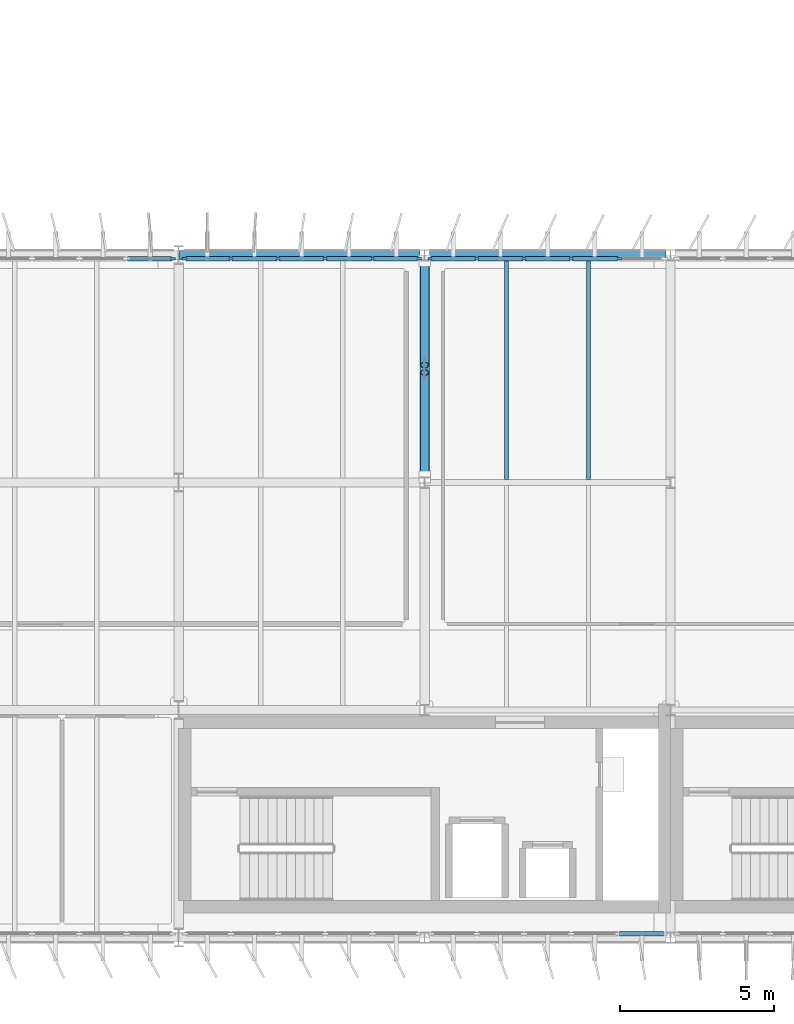
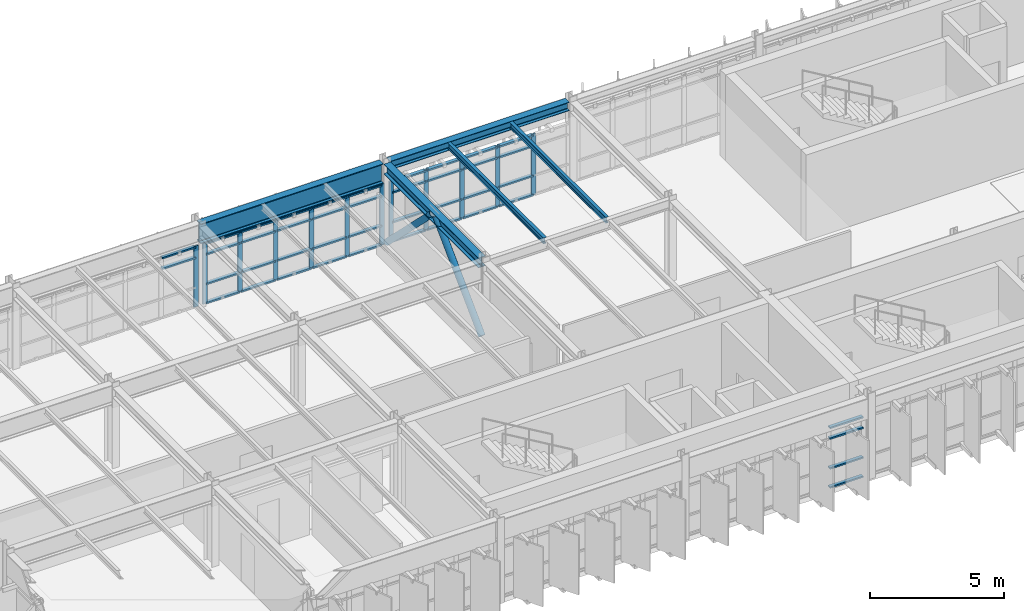
# One storey, part 10 of 45: 56 members, 5 beams, 4 elements without a shape of their own.
"""IFC4 building model written with IfcOpenShell, lengths in metres."""

from ifc_helpers import new_model, si_unit, direction, frame, origin, origin_2d, place, context, subcontext, project, spatial, rectangle, hollow_circle, i_section, extrude, material, layer, layer_set, material_profile, profile_set, type_object, element, aggregate, save


model = new_model("IFC4")

# Units and contexts
model_context = context("Model", 3, precision=1e-05, world=origin(), true_north=direction((0.0, 1.0)))
body_context = subcontext(model_context, "Body", "Model", "MODEL_VIEW")
ifc_project = project(units=[si_unit("LENGTHUNIT", "METRE"), si_unit("AREAUNIT", "SQUARE_METRE"), si_unit("VOLUMEUNIT", "CUBIC_METRE"), si_unit("PLANEANGLEUNIT", "RADIAN"), si_unit("MASSUNIT", "GRAM", prefix="KILO")], contexts=[model_context])

# Site, building, storey
site_placement = place(None, origin())
site = spatial("IfcSite", under=ifc_project, at=site_placement, CompositionType="ELEMENT")
building_placement = place(site_placement, origin())
building = spatial("IfcBuilding", under=site, at=building_placement, Name="Valkorina Park Police Headquarters", CompositionType="ELEMENT")
storey_placement = place(building_placement, frame((0.0, 0.0, 23.300048828125)))
storey = spatial("IfcBuildingStorey", under=building, at=storey_placement, Name="L06", CompositionType="ELEMENT", Elevation=23.300048828125)

# Beams
ifc_material_1 = material(Name="Steel S355", Category="steel")
ifc_material_profile_1 = material_profile(ifc_material_1, i_section(OverallWidth=0.300048828125, OverallDepth=0.389892578125, WebThickness=0.010986328125, FlangeThickness=0.01904296875, FilletRadius=0.027099609375, at=origin_2d()), Name="HEA 400")
ifc_profile_set_1 = profile_set([ifc_material_profile_1], Name="Steel S355")
beam_type_1 = type_object("IfcBeamType", Name="BM-S355-HEA400-SPN", PredefinedType="SPANDREL", material=ifc_profile_set_1)
beam_1_placement = place(storey_placement, frame((24.949951171875, 59.199951171875, 3.48486328125), z_axis=(1.0, 0.0, 0.0), x_axis=(0.0, 1.0, 0.0)))
element("IfcBeam", 1, at=beam_1_placement, inside=storey, type_object=beam_type_1, Name="L06 Framing Beam 2632", PredefinedType="SPANDREL", context=body_context, shape_type="SweptSolid", body=[
    extrude(i_section(OverallWidth=0.300048828125, OverallDepth=0.389892578125, WebThickness=0.010986328125, FlangeThickness=0.01904296875, FilletRadius=0.027099609375, at=origin_2d()), origin(), (0.0, 0.0, 1.0), 7.699951171875),
])
ifc_material_profile_2 = material_profile(ifc_material_1, i_section(OverallWidth=0.300048828125, OverallDepth=0.449951171875, WebThickness=0.013916015625, FlangeThickness=0.02587890625, FilletRadius=0.027099609375, at=origin_2d()), Name="HEB 450")
ifc_profile_set_2 = profile_set([ifc_material_profile_2], Name="Steel S355")
beam_type_2 = type_object("IfcBeamType", Name="BM-S355-HEB450-BM", PredefinedType="BEAM", material=ifc_profile_set_2)
beam_2_placement = place(storey_placement, frame((24.800048828125, 51.97998046875, 3.454833984375), z_axis=(0.0, 1.0, 0.0), x_axis=(-1.0, 0.0, 0.0)))
element("IfcBeam", 2, at=beam_2_placement, inside=storey, type_object=beam_type_2, Name="L06 Framing Beam 2683", PredefinedType="BEAM", context=body_context, shape_type="SweptSolid", body=[
    extrude(i_section(OverallWidth=0.300048828125, OverallDepth=0.449951171875, WebThickness=0.013916015625, FlangeThickness=0.02587890625, FilletRadius=0.027099609375, at=origin_2d()), origin(), (0.0, 0.0, 1.0), 7.0400390625),
])
ifc_material_profile_3 = material_profile(ifc_material_1, i_section(OverallWidth=0.300048828125, OverallDepth=0.89990234375, WebThickness=0.0185546875, FlangeThickness=0.034912109375, FilletRadius=0.030029296875, at=origin_2d()), Name="HEB 900")
ifc_profile_set_3 = profile_set([ifc_material_profile_3], Name="Steel S355")
beam_type_3 = type_object("IfcBeamType", Name="BM-S355-HEB900-EXT", PredefinedType="SPANDREL", material=ifc_profile_set_3)
beam_3_placement = place(storey_placement, frame((16.8076171875, 59.199951171875, 3.22998046875), z_axis=(1.0, 0.0, 0.0), x_axis=(0.0, 1.0, 0.0)))
element("IfcBeam", 3, at=beam_3_placement, inside=storey, type_object=beam_type_3, Name="L06 Framing Beam 2631", PredefinedType="SPANDREL", context=body_context, shape_type="SweptSolid", body=[
    extrude(i_section(OverallWidth=0.300048828125, OverallDepth=0.89990234375, WebThickness=0.0185546875, FlangeThickness=0.034912109375, FilletRadius=0.030029296875, at=origin_2d()), origin(), (0.0, 0.0, 1.0), 7.84228515625),
])
ifc_material_profile_4 = material_profile(ifc_material_1, i_section(OverallWidth=0.135009765625, OverallDepth=0.27001953125, WebThickness=0.006591796875, FlangeThickness=0.01025390625, FilletRadius=0.014892578125, at=origin_2d()), Name="IPE 270")
ifc_profile_set_4 = profile_set([ifc_material_profile_4], Name="Steel S355")
beam_type_4 = type_object("IfcBeamType", Name="BM-S355-IPE270-JST", PredefinedType="JOIST", material=ifc_profile_set_4)
for number, where, z_axis, x_axis, name in (
    (4, (27.466796875, 51.89501953125, 3.544921875), (0.0, 1.0, 0.0), (-1.0, 0.0, 0.0), "L06 Framing Beam 2684"),
    (5, (30.13330078125, 51.89501953125, 3.544921875), (0.0, 1.0, 0.0), (-1.0, 0.0, 0.0), "L06 Framing Beam 2685"),
):
    element("IfcBeam", number, at=place(storey_placement, frame(where, z_axis=z_axis, x_axis=x_axis)), inside=storey, type_object=beam_type_4, Name=name, PredefinedType="JOIST", context=body_context, shape_type="SweptSolid", body=[
        extrude(i_section(OverallWidth=0.135009765625, OverallDepth=0.27001953125, WebThickness=0.006591796875, FlangeThickness=0.01025390625, FilletRadius=0.014892578125, at=origin_2d()), origin(), (0.0, 0.0, 1.0), 7.155029296875),
    ])

# Curtain wall, member
ifc_material_2 = material(Name="Thermally broken aluminium AW-6060", Category="aluminium")
ifc_layer = layer(ifc_material_2, 0.18994140625)
ifc_layer_set = layer_set([ifc_layer], Name="Thermally broken aluminium AW-6060")
curtain_wall_type = type_object("IfcCurtainWallType", Name="CW-V5-7680x2770", PredefinedType="NOTDEFINED", material=ifc_layer_set)
curtain_wall_1_placement = place(storey_placement, origin())
curtain_wall_1 = element("IfcCurtainWall", 6, at=curtain_wall_1_placement, inside=storey, type_object=curtain_wall_type, Name="L06 Unitised Curtain Wall 101", PredefinedType="NOTDEFINED")
ifc_material_profile_5 = material_profile(ifc_material_2, rectangle(XDim=0.070068359375, YDim=0.18994140625, at=origin_2d()), Name="CWM-02 70x190")
ifc_profile_set_5 = profile_set([ifc_material_profile_5], Name="Thermally broken aluminium AW-6060")
member_type_1 = type_object("IfcMemberType", Name="CWM-70x190", PredefinedType="MULLION", material=ifc_profile_set_5)
member_1_placement = place(storey_placement, frame((16.60498046875, 59.080078125, 0.0), z_axis=(0.0, 0.0, 1.0), x_axis=(0.0, 1.0, 0.0)))
member_1 = element("IfcMember", 7, at=member_1_placement, type_object=member_type_1, Name="CW-V5-768-277 mullion 6", PredefinedType="MULLION", context=body_context, shape_type="SweptSolid", body=[
    extrude(rectangle(XDim=0.070068359375, YDim=0.18994140625, at=origin_2d()), origin(), (0.0, 0.0, 1.0), 2.77001953125),
])

# Curtain wall, members
curtain_wall_2_placement = place(storey_placement, origin())
curtain_wall_2 = element("IfcCurtainWall", 8, at=curtain_wall_2_placement, inside=storey, type_object=curtain_wall_type, Name="L06 Unitised Curtain Wall 102", PredefinedType="NOTDEFINED")
member_2_placement = place(storey_placement, frame((16.9951171875, 59.080078125, 0.0), z_axis=(0.0, 0.0, 1.0), x_axis=(0.0, 1.0, 0.0)))
member_2 = element("IfcMember", 9, at=member_2_placement, type_object=member_type_1, Name="CW-V5-768-277 mullion 1", PredefinedType="MULLION", context=body_context, shape_type="SweptSolid", body=[
    extrude(rectangle(XDim=0.070068359375, YDim=0.18994140625, at=origin_2d()), origin(), (0.0, 0.0, 1.0), 2.77001953125),
])
member_3_placement = place(storey_placement, frame((18.49609375, 59.080078125, 0.0), z_axis=(0.0, 0.0, 1.0), x_axis=(0.0, 1.0, 0.0)))
member_3 = element("IfcMember", 10, at=member_3_placement, type_object=member_type_1, Name="CW-V5-768-277 mullion 2", PredefinedType="MULLION", context=body_context, shape_type="SweptSolid", body=[
    extrude(rectangle(XDim=0.070068359375, YDim=0.18994140625, at=origin_2d()), origin(), (0.0, 0.0, 1.0), 2.77001953125),
])
member_4_placement = place(storey_placement, frame((20.031982421875, 59.080078125, 0.0), z_axis=(0.0, 0.0, 1.0), x_axis=(0.0, 1.0, 0.0)))
member_4 = element("IfcMember", 11, at=member_4_placement, type_object=member_type_1, Name="CW-V5-768-277 mullion 3", PredefinedType="MULLION", context=body_context, shape_type="SweptSolid", body=[
    extrude(rectangle(XDim=0.070068359375, YDim=0.18994140625, at=origin_2d()), origin(), (0.0, 0.0, 1.0), 2.77001953125),
])
member_5_placement = place(storey_placement, frame((21.568115234375, 59.080078125, 0.0), z_axis=(0.0, 0.0, 1.0), x_axis=(0.0, 1.0, 0.0)))
member_5 = element("IfcMember", 12, at=member_5_placement, type_object=member_type_1, Name="CW-V5-768-277 mullion 4", PredefinedType="MULLION", context=body_context, shape_type="SweptSolid", body=[
    extrude(rectangle(XDim=0.070068359375, YDim=0.18994140625, at=origin_2d()), origin(), (0.0, 0.0, 1.0), 2.77001953125),
])
member_6_placement = place(storey_placement, frame((23.10400390625, 59.080078125, 0.0), z_axis=(0.0, 0.0, 1.0), x_axis=(0.0, 1.0, 0.0)))
member_6 = element("IfcMember", 13, at=member_6_placement, type_object=member_type_1, Name="CW-V5-768-277 mullion 5", PredefinedType="MULLION", context=body_context, shape_type="SweptSolid", body=[
    extrude(rectangle(XDim=0.070068359375, YDim=0.18994140625, at=origin_2d()), origin(), (0.0, 0.0, 1.0), 2.77001953125),
])
member_7_placement = place(storey_placement, frame((24.60498046875, 59.080078125, 0.0), z_axis=(0.0, 0.0, 1.0), x_axis=(0.0, 1.0, 0.0)))
member_7 = element("IfcMember", 14, at=member_7_placement, type_object=member_type_1, Name="CW-V5-768-277 mullion 6", PredefinedType="MULLION", context=body_context, shape_type="SweptSolid", body=[
    extrude(rectangle(XDim=0.070068359375, YDim=0.18994140625, at=origin_2d()), origin(), (0.0, 0.0, 1.0), 2.77001953125),
])

curtain_wall_3_placement = place(storey_placement, origin())
curtain_wall_3 = element("IfcCurtainWall", 15, at=curtain_wall_3_placement, inside=storey, type_object=curtain_wall_type, Name="L06 Unitised Curtain Wall 103", PredefinedType="NOTDEFINED")
member_8_placement = place(storey_placement, frame((24.9951171875, 59.080078125, 0.0), z_axis=(0.0, 0.0, 1.0), x_axis=(0.0, 1.0, 0.0)))
member_8 = element("IfcMember", 16, at=member_8_placement, type_object=member_type_1, Name="CW-V5-768-277 mullion 1", PredefinedType="MULLION", context=body_context, shape_type="SweptSolid", body=[
    extrude(rectangle(XDim=0.070068359375, YDim=0.18994140625, at=origin_2d()), origin(), (0.0, 0.0, 1.0), 2.77001953125),
])
member_9_placement = place(storey_placement, frame((26.49609375, 59.080078125, 0.0), z_axis=(0.0, 0.0, 1.0), x_axis=(0.0, 1.0, 0.0)))
member_9 = element("IfcMember", 17, at=member_9_placement, type_object=member_type_1, Name="CW-V5-768-277 mullion 2", PredefinedType="MULLION", context=body_context, shape_type="SweptSolid", body=[
    extrude(rectangle(XDim=0.070068359375, YDim=0.18994140625, at=origin_2d()), origin(), (0.0, 0.0, 1.0), 2.77001953125),
])
member_10_placement = place(storey_placement, frame((28.031982421875, 59.080078125, 0.0), z_axis=(0.0, 0.0, 1.0), x_axis=(0.0, 1.0, 0.0)))
member_10 = element("IfcMember", 18, at=member_10_placement, type_object=member_type_1, Name="CW-V5-768-277 mullion 3", PredefinedType="MULLION", context=body_context, shape_type="SweptSolid", body=[
    extrude(rectangle(XDim=0.070068359375, YDim=0.18994140625, at=origin_2d()), origin(), (0.0, 0.0, 1.0), 2.77001953125),
])
member_11_placement = place(storey_placement, frame((29.568115234375, 59.080078125, 0.0), z_axis=(0.0, 0.0, 1.0), x_axis=(0.0, 1.0, 0.0)))
member_11 = element("IfcMember", 19, at=member_11_placement, type_object=member_type_1, Name="CW-V5-768-277 mullion 4", PredefinedType="MULLION", context=body_context, shape_type="SweptSolid", body=[
    extrude(rectangle(XDim=0.070068359375, YDim=0.18994140625, at=origin_2d()), origin(), (0.0, 0.0, 1.0), 2.77001953125),
])
member_12_placement = place(storey_placement, frame((31.10400390625, 59.080078125, 0.0), z_axis=(0.0, 0.0, 1.0), x_axis=(0.0, 1.0, 0.0)))
member_12 = element("IfcMember", 20, at=member_12_placement, type_object=member_type_1, Name="CW-V5-768-277 mullion 5", PredefinedType="MULLION", context=body_context, shape_type="SweptSolid", body=[
    extrude(rectangle(XDim=0.070068359375, YDim=0.18994140625, at=origin_2d()), origin(), (0.0, 0.0, 1.0), 2.77001953125),
])

# Member
ifc_material_profile_6 = material_profile(ifc_material_2, rectangle(XDim=0.14990234375, YDim=0.070068359375, at=origin_2d()), Name="CWT-02 150x70")
ifc_profile_set_6 = profile_set([ifc_material_profile_6], Name="Thermally broken aluminium AW-6060")
member_type_2 = type_object("IfcMemberType", Name="CWT-150x70", PredefinedType="USERDEFINED", material=ifc_profile_set_6)
member_13_placement = place(storey_placement, frame((15.138916015625, 59.080078125, 2.25), z_axis=(1.0, 0.0, 0.0), x_axis=(0.0, 1.0, 0.0)))
member_13 = element("IfcMember", 21, at=member_13_placement, type_object=member_type_2, Name="CW-V5-768-277 transom 5.3", ObjectType="TRANSOM", PredefinedType="USERDEFINED", context=body_context, shape_type="SweptSolid", body=[
    extrude(rectangle(XDim=0.14990234375, YDim=0.070068359375, at=origin_2d()), origin(), (0.0, 0.0, 1.0), 1.43115234375),
])

member_14_placement = place(storey_placement, frame((15.138916015625, 59.080078125, 2.73486328125), z_axis=(1.0, 0.0, 0.0), x_axis=(0.0, 1.0, 0.0)))
member_14 = element("IfcMember", 22, at=member_14_placement, type_object=member_type_2, Name="CW-V5-768-277 transom 5.4", ObjectType="TRANSOM", PredefinedType="USERDEFINED", context=body_context, shape_type="SweptSolid", body=[
    extrude(rectangle(XDim=0.14990234375, YDim=0.070068359375, at=origin_2d()), origin(), (0.0, 0.0, 1.0), 1.43115234375),
])

aggregate(curtain_wall_1, [member_1, member_13, member_14])

member_15_placement = place(storey_placement, frame((17.030029296875, 59.080078125, 0.034912109375), z_axis=(1.0, 0.0, 0.0), x_axis=(0.0, 1.0, 0.0)))
member_15 = element("IfcMember", 23, at=member_15_placement, type_object=member_type_2, Name="CW-V5-768-277 transom 1.1", ObjectType="TRANSOM", PredefinedType="USERDEFINED", context=body_context, shape_type="SweptSolid", body=[
    extrude(rectangle(XDim=0.14990234375, YDim=0.070068359375, at=origin_2d()), origin(), (0.0, 0.0, 1.0), 1.430908203125),
])

member_16_placement = place(storey_placement, frame((17.030029296875, 59.080078125, 0.89990234375), z_axis=(1.0, 0.0, 0.0), x_axis=(0.0, 1.0, 0.0)))
member_16 = element("IfcMember", 24, at=member_16_placement, type_object=member_type_2, Name="CW-V5-768-277 transom 1.2", ObjectType="TRANSOM", PredefinedType="USERDEFINED", context=body_context, shape_type="SweptSolid", body=[
    extrude(rectangle(XDim=0.14990234375, YDim=0.070068359375, at=origin_2d()), origin(), (0.0, 0.0, 1.0), 1.430908203125),
])

member_17_placement = place(storey_placement, frame((17.030029296875, 59.080078125, 2.25), z_axis=(1.0, 0.0, 0.0), x_axis=(0.0, 1.0, 0.0)))
member_17 = element("IfcMember", 25, at=member_17_placement, type_object=member_type_2, Name="CW-V5-768-277 transom 1.3", ObjectType="TRANSOM", PredefinedType="USERDEFINED", context=body_context, shape_type="SweptSolid", body=[
    extrude(rectangle(XDim=0.14990234375, YDim=0.070068359375, at=origin_2d()), origin(), (0.0, 0.0, 1.0), 1.430908203125),
])

member_18_placement = place(storey_placement, frame((17.030029296875, 59.080078125, 2.73486328125), z_axis=(1.0, 0.0, 0.0), x_axis=(0.0, 1.0, 0.0)))
member_18 = element("IfcMember", 26, at=member_18_placement, type_object=member_type_2, Name="CW-V5-768-277 transom 1.4", ObjectType="TRANSOM", PredefinedType="USERDEFINED", context=body_context, shape_type="SweptSolid", body=[
    extrude(rectangle(XDim=0.14990234375, YDim=0.070068359375, at=origin_2d()), origin(), (0.0, 0.0, 1.0), 1.430908203125),
])

member_19_placement = place(storey_placement, frame((18.531005859375, 59.080078125, 0.034912109375), z_axis=(1.0, 0.0, 0.0), x_axis=(0.0, 1.0, 0.0)))
member_19 = element("IfcMember", 27, at=member_19_placement, type_object=member_type_2, Name="CW-V5-768-277 transom 2.1", ObjectType="TRANSOM", PredefinedType="USERDEFINED", context=body_context, shape_type="SweptSolid", body=[
    extrude(rectangle(XDim=0.14990234375, YDim=0.070068359375, at=origin_2d()), origin(), (0.0, 0.0, 1.0), 1.466064453125),
])

member_20_placement = place(storey_placement, frame((18.531005859375, 59.080078125, 0.89990234375), z_axis=(1.0, 0.0, 0.0), x_axis=(0.0, 1.0, 0.0)))
member_20 = element("IfcMember", 28, at=member_20_placement, type_object=member_type_2, Name="CW-V5-768-277 transom 2.2", ObjectType="TRANSOM", PredefinedType="USERDEFINED", context=body_context, shape_type="SweptSolid", body=[
    extrude(rectangle(XDim=0.14990234375, YDim=0.070068359375, at=origin_2d()), origin(), (0.0, 0.0, 1.0), 1.466064453125),
])

member_21_placement = place(storey_placement, frame((18.531005859375, 59.080078125, 2.25), z_axis=(1.0, 0.0, 0.0), x_axis=(0.0, 1.0, 0.0)))
member_21 = element("IfcMember", 29, at=member_21_placement, type_object=member_type_2, Name="CW-V5-768-277 transom 2.3", ObjectType="TRANSOM", PredefinedType="USERDEFINED", context=body_context, shape_type="SweptSolid", body=[
    extrude(rectangle(XDim=0.14990234375, YDim=0.070068359375, at=origin_2d()), origin(), (0.0, 0.0, 1.0), 1.466064453125),
])

member_22_placement = place(storey_placement, frame((18.531005859375, 59.080078125, 2.73486328125), z_axis=(1.0, 0.0, 0.0), x_axis=(0.0, 1.0, 0.0)))
member_22 = element("IfcMember", 30, at=member_22_placement, type_object=member_type_2, Name="CW-V5-768-277 transom 2.4", ObjectType="TRANSOM", PredefinedType="USERDEFINED", context=body_context, shape_type="SweptSolid", body=[
    extrude(rectangle(XDim=0.14990234375, YDim=0.070068359375, at=origin_2d()), origin(), (0.0, 0.0, 1.0), 1.466064453125),
])

member_23_placement = place(storey_placement, frame((20.06689453125, 59.080078125, 0.034912109375), z_axis=(1.0, 0.0, 0.0), x_axis=(0.0, 1.0, 0.0)))
member_23 = element("IfcMember", 31, at=member_23_placement, type_object=member_type_2, Name="CW-V5-768-277 transom 3.1", ObjectType="TRANSOM", PredefinedType="USERDEFINED", context=body_context, shape_type="SweptSolid", body=[
    extrude(rectangle(XDim=0.14990234375, YDim=0.070068359375, at=origin_2d()), origin(), (0.0, 0.0, 1.0), 1.466064453125),
])

member_24_placement = place(storey_placement, frame((20.06689453125, 59.080078125, 0.89990234375), z_axis=(1.0, 0.0, 0.0), x_axis=(0.0, 1.0, 0.0)))
member_24 = element("IfcMember", 32, at=member_24_placement, type_object=member_type_2, Name="CW-V5-768-277 transom 3.2", ObjectType="TRANSOM", PredefinedType="USERDEFINED", context=body_context, shape_type="SweptSolid", body=[
    extrude(rectangle(XDim=0.14990234375, YDim=0.070068359375, at=origin_2d()), origin(), (0.0, 0.0, 1.0), 1.466064453125),
])

member_25_placement = place(storey_placement, frame((20.06689453125, 59.080078125, 2.25), z_axis=(1.0, 0.0, 0.0), x_axis=(0.0, 1.0, 0.0)))
member_25 = element("IfcMember", 33, at=member_25_placement, type_object=member_type_2, Name="CW-V5-768-277 transom 3.3", ObjectType="TRANSOM", PredefinedType="USERDEFINED", context=body_context, shape_type="SweptSolid", body=[
    extrude(rectangle(XDim=0.14990234375, YDim=0.070068359375, at=origin_2d()), origin(), (0.0, 0.0, 1.0), 1.466064453125),
])

member_26_placement = place(storey_placement, frame((20.06689453125, 59.080078125, 2.73486328125), z_axis=(1.0, 0.0, 0.0), x_axis=(0.0, 1.0, 0.0)))
member_26 = element("IfcMember", 34, at=member_26_placement, type_object=member_type_2, Name="CW-V5-768-277 transom 3.4", ObjectType="TRANSOM", PredefinedType="USERDEFINED", context=body_context, shape_type="SweptSolid", body=[
    extrude(rectangle(XDim=0.14990234375, YDim=0.070068359375, at=origin_2d()), origin(), (0.0, 0.0, 1.0), 1.466064453125),
])

member_27_placement = place(storey_placement, frame((21.60302734375, 59.080078125, 0.034912109375), z_axis=(1.0, 0.0, 0.0), x_axis=(0.0, 1.0, 0.0)))
member_27 = element("IfcMember", 35, at=member_27_placement, type_object=member_type_2, Name="CW-V5-768-277 transom 4.1", ObjectType="TRANSOM", PredefinedType="USERDEFINED", context=body_context, shape_type="SweptSolid", body=[
    extrude(rectangle(XDim=0.14990234375, YDim=0.070068359375, at=origin_2d()), origin(), (0.0, 0.0, 1.0), 1.466064453125),
])

member_28_placement = place(storey_placement, frame((21.60302734375, 59.080078125, 0.89990234375), z_axis=(1.0, 0.0, 0.0), x_axis=(0.0, 1.0, 0.0)))
member_28 = element("IfcMember", 36, at=member_28_placement, type_object=member_type_2, Name="CW-V5-768-277 transom 4.2", ObjectType="TRANSOM", PredefinedType="USERDEFINED", context=body_context, shape_type="SweptSolid", body=[
    extrude(rectangle(XDim=0.14990234375, YDim=0.070068359375, at=origin_2d()), origin(), (0.0, 0.0, 1.0), 1.466064453125),
])

member_29_placement = place(storey_placement, frame((21.60302734375, 59.080078125, 2.25), z_axis=(1.0, 0.0, 0.0), x_axis=(0.0, 1.0, 0.0)))
member_29 = element("IfcMember", 37, at=member_29_placement, type_object=member_type_2, Name="CW-V5-768-277 transom 4.3", ObjectType="TRANSOM", PredefinedType="USERDEFINED", context=body_context, shape_type="SweptSolid", body=[
    extrude(rectangle(XDim=0.14990234375, YDim=0.070068359375, at=origin_2d()), origin(), (0.0, 0.0, 1.0), 1.466064453125),
])

member_30_placement = place(storey_placement, frame((21.60302734375, 59.080078125, 2.73486328125), z_axis=(1.0, 0.0, 0.0), x_axis=(0.0, 1.0, 0.0)))
member_30 = element("IfcMember", 38, at=member_30_placement, type_object=member_type_2, Name="CW-V5-768-277 transom 4.4", ObjectType="TRANSOM", PredefinedType="USERDEFINED", context=body_context, shape_type="SweptSolid", body=[
    extrude(rectangle(XDim=0.14990234375, YDim=0.070068359375, at=origin_2d()), origin(), (0.0, 0.0, 1.0), 1.466064453125),
])

member_31_placement = place(storey_placement, frame((23.138916015625, 59.080078125, 0.034912109375), z_axis=(1.0, 0.0, 0.0), x_axis=(0.0, 1.0, 0.0)))
member_31 = element("IfcMember", 39, at=member_31_placement, type_object=member_type_2, Name="CW-V5-768-277 transom 5.1", ObjectType="TRANSOM", PredefinedType="USERDEFINED", context=body_context, shape_type="SweptSolid", body=[
    extrude(rectangle(XDim=0.14990234375, YDim=0.070068359375, at=origin_2d()), origin(), (0.0, 0.0, 1.0), 1.43115234375),
])

member_32_placement = place(storey_placement, frame((23.138916015625, 59.080078125, 0.89990234375), z_axis=(1.0, 0.0, 0.0), x_axis=(0.0, 1.0, 0.0)))
member_32 = element("IfcMember", 40, at=member_32_placement, type_object=member_type_2, Name="CW-V5-768-277 transom 5.2", ObjectType="TRANSOM", PredefinedType="USERDEFINED", context=body_context, shape_type="SweptSolid", body=[
    extrude(rectangle(XDim=0.14990234375, YDim=0.070068359375, at=origin_2d()), origin(), (0.0, 0.0, 1.0), 1.43115234375),
])

member_33_placement = place(storey_placement, frame((23.138916015625, 59.080078125, 2.25), z_axis=(1.0, 0.0, 0.0), x_axis=(0.0, 1.0, 0.0)))
member_33 = element("IfcMember", 41, at=member_33_placement, type_object=member_type_2, Name="CW-V5-768-277 transom 5.3", ObjectType="TRANSOM", PredefinedType="USERDEFINED", context=body_context, shape_type="SweptSolid", body=[
    extrude(rectangle(XDim=0.14990234375, YDim=0.070068359375, at=origin_2d()), origin(), (0.0, 0.0, 1.0), 1.43115234375),
])

member_34_placement = place(storey_placement, frame((23.138916015625, 59.080078125, 2.73486328125), z_axis=(1.0, 0.0, 0.0), x_axis=(0.0, 1.0, 0.0)))
member_34 = element("IfcMember", 42, at=member_34_placement, type_object=member_type_2, Name="CW-V5-768-277 transom 5.4", ObjectType="TRANSOM", PredefinedType="USERDEFINED", context=body_context, shape_type="SweptSolid", body=[
    extrude(rectangle(XDim=0.14990234375, YDim=0.070068359375, at=origin_2d()), origin(), (0.0, 0.0, 1.0), 1.43115234375),
])

aggregate(curtain_wall_2, [member_2, member_3, member_4, member_5, member_6, member_7, member_15, member_16, member_17, member_18, member_19, member_20, member_21, member_22, member_23, member_24, member_25, member_26, member_27, member_28, member_29, member_30, member_31, member_32, member_33, member_34])

member_35_placement = place(storey_placement, frame((25.030029296875, 59.080078125, 0.034912109375), z_axis=(1.0, 0.0, 0.0), x_axis=(0.0, 1.0, 0.0)))
member_35 = element("IfcMember", 43, at=member_35_placement, type_object=member_type_2, Name="CW-V5-768-277 transom 1.1", ObjectType="TRANSOM", PredefinedType="USERDEFINED", context=body_context, shape_type="SweptSolid", body=[
    extrude(rectangle(XDim=0.14990234375, YDim=0.070068359375, at=origin_2d()), origin(), (0.0, 0.0, 1.0), 1.430908203125),
])

member_36_placement = place(storey_placement, frame((25.030029296875, 59.080078125, 0.89990234375), z_axis=(1.0, 0.0, 0.0), x_axis=(0.0, 1.0, 0.0)))
member_36 = element("IfcMember", 44, at=member_36_placement, type_object=member_type_2, Name="CW-V5-768-277 transom 1.2", ObjectType="TRANSOM", PredefinedType="USERDEFINED", context=body_context, shape_type="SweptSolid", body=[
    extrude(rectangle(XDim=0.14990234375, YDim=0.070068359375, at=origin_2d()), origin(), (0.0, 0.0, 1.0), 1.430908203125),
])

member_37_placement = place(storey_placement, frame((25.030029296875, 59.080078125, 2.25), z_axis=(1.0, 0.0, 0.0), x_axis=(0.0, 1.0, 0.0)))
member_37 = element("IfcMember", 45, at=member_37_placement, type_object=member_type_2, Name="CW-V5-768-277 transom 1.3", ObjectType="TRANSOM", PredefinedType="USERDEFINED", context=body_context, shape_type="SweptSolid", body=[
    extrude(rectangle(XDim=0.14990234375, YDim=0.070068359375, at=origin_2d()), origin(), (0.0, 0.0, 1.0), 1.430908203125),
])

member_38_placement = place(storey_placement, frame((25.030029296875, 59.080078125, 2.73486328125), z_axis=(1.0, 0.0, 0.0), x_axis=(0.0, 1.0, 0.0)))
member_38 = element("IfcMember", 46, at=member_38_placement, type_object=member_type_2, Name="CW-V5-768-277 transom 1.4", ObjectType="TRANSOM", PredefinedType="USERDEFINED", context=body_context, shape_type="SweptSolid", body=[
    extrude(rectangle(XDim=0.14990234375, YDim=0.070068359375, at=origin_2d()), origin(), (0.0, 0.0, 1.0), 1.430908203125),
])

member_39_placement = place(storey_placement, frame((26.531005859375, 59.080078125, 0.034912109375), z_axis=(1.0, 0.0, 0.0), x_axis=(0.0, 1.0, 0.0)))
member_39 = element("IfcMember", 47, at=member_39_placement, type_object=member_type_2, Name="CW-V5-768-277 transom 2.1", ObjectType="TRANSOM", PredefinedType="USERDEFINED", context=body_context, shape_type="SweptSolid", body=[
    extrude(rectangle(XDim=0.14990234375, YDim=0.070068359375, at=origin_2d()), origin(), (0.0, 0.0, 1.0), 1.466064453125),
])

member_40_placement = place(storey_placement, frame((26.531005859375, 59.080078125, 0.89990234375), z_axis=(1.0, 0.0, 0.0), x_axis=(0.0, 1.0, 0.0)))
member_40 = element("IfcMember", 48, at=member_40_placement, type_object=member_type_2, Name="CW-V5-768-277 transom 2.2", ObjectType="TRANSOM", PredefinedType="USERDEFINED", context=body_context, shape_type="SweptSolid", body=[
    extrude(rectangle(XDim=0.14990234375, YDim=0.070068359375, at=origin_2d()), origin(), (0.0, 0.0, 1.0), 1.466064453125),
])

member_41_placement = place(storey_placement, frame((26.531005859375, 59.080078125, 2.25), z_axis=(1.0, 0.0, 0.0), x_axis=(0.0, 1.0, 0.0)))
member_41 = element("IfcMember", 49, at=member_41_placement, type_object=member_type_2, Name="CW-V5-768-277 transom 2.3", ObjectType="TRANSOM", PredefinedType="USERDEFINED", context=body_context, shape_type="SweptSolid", body=[
    extrude(rectangle(XDim=0.14990234375, YDim=0.070068359375, at=origin_2d()), origin(), (0.0, 0.0, 1.0), 1.466064453125),
])

member_42_placement = place(storey_placement, frame((26.531005859375, 59.080078125, 2.73486328125), z_axis=(1.0, 0.0, 0.0), x_axis=(0.0, 1.0, 0.0)))
member_42 = element("IfcMember", 50, at=member_42_placement, type_object=member_type_2, Name="CW-V5-768-277 transom 2.4", ObjectType="TRANSOM", PredefinedType="USERDEFINED", context=body_context, shape_type="SweptSolid", body=[
    extrude(rectangle(XDim=0.14990234375, YDim=0.070068359375, at=origin_2d()), origin(), (0.0, 0.0, 1.0), 1.466064453125),
])

member_43_placement = place(storey_placement, frame((28.06689453125, 59.080078125, 0.034912109375), z_axis=(1.0, 0.0, 0.0), x_axis=(0.0, 1.0, 0.0)))
member_43 = element("IfcMember", 51, at=member_43_placement, type_object=member_type_2, Name="CW-V5-768-277 transom 3.1", ObjectType="TRANSOM", PredefinedType="USERDEFINED", context=body_context, shape_type="SweptSolid", body=[
    extrude(rectangle(XDim=0.14990234375, YDim=0.070068359375, at=origin_2d()), origin(), (0.0, 0.0, 1.0), 1.466064453125),
])

member_44_placement = place(storey_placement, frame((28.06689453125, 59.080078125, 0.89990234375), z_axis=(1.0, 0.0, 0.0), x_axis=(0.0, 1.0, 0.0)))
member_44 = element("IfcMember", 52, at=member_44_placement, type_object=member_type_2, Name="CW-V5-768-277 transom 3.2", ObjectType="TRANSOM", PredefinedType="USERDEFINED", context=body_context, shape_type="SweptSolid", body=[
    extrude(rectangle(XDim=0.14990234375, YDim=0.070068359375, at=origin_2d()), origin(), (0.0, 0.0, 1.0), 1.466064453125),
])

member_45_placement = place(storey_placement, frame((28.06689453125, 59.080078125, 2.25), z_axis=(1.0, 0.0, 0.0), x_axis=(0.0, 1.0, 0.0)))
member_45 = element("IfcMember", 53, at=member_45_placement, type_object=member_type_2, Name="CW-V5-768-277 transom 3.3", ObjectType="TRANSOM", PredefinedType="USERDEFINED", context=body_context, shape_type="SweptSolid", body=[
    extrude(rectangle(XDim=0.14990234375, YDim=0.070068359375, at=origin_2d()), origin(), (0.0, 0.0, 1.0), 1.466064453125),
])

member_46_placement = place(storey_placement, frame((28.06689453125, 59.080078125, 2.73486328125), z_axis=(1.0, 0.0, 0.0), x_axis=(0.0, 1.0, 0.0)))
member_46 = element("IfcMember", 54, at=member_46_placement, type_object=member_type_2, Name="CW-V5-768-277 transom 3.4", ObjectType="TRANSOM", PredefinedType="USERDEFINED", context=body_context, shape_type="SweptSolid", body=[
    extrude(rectangle(XDim=0.14990234375, YDim=0.070068359375, at=origin_2d()), origin(), (0.0, 0.0, 1.0), 1.466064453125),
])

member_47_placement = place(storey_placement, frame((29.60302734375, 59.080078125, 0.034912109375), z_axis=(1.0, 0.0, 0.0), x_axis=(0.0, 1.0, 0.0)))
member_47 = element("IfcMember", 55, at=member_47_placement, type_object=member_type_2, Name="CW-V5-768-277 transom 4.1", ObjectType="TRANSOM", PredefinedType="USERDEFINED", context=body_context, shape_type="SweptSolid", body=[
    extrude(rectangle(XDim=0.14990234375, YDim=0.070068359375, at=origin_2d()), origin(), (0.0, 0.0, 1.0), 1.466064453125),
])

member_48_placement = place(storey_placement, frame((29.60302734375, 59.080078125, 0.89990234375), z_axis=(1.0, 0.0, 0.0), x_axis=(0.0, 1.0, 0.0)))
member_48 = element("IfcMember", 56, at=member_48_placement, type_object=member_type_2, Name="CW-V5-768-277 transom 4.2", ObjectType="TRANSOM", PredefinedType="USERDEFINED", context=body_context, shape_type="SweptSolid", body=[
    extrude(rectangle(XDim=0.14990234375, YDim=0.070068359375, at=origin_2d()), origin(), (0.0, 0.0, 1.0), 1.466064453125),
])

member_49_placement = place(storey_placement, frame((29.60302734375, 59.080078125, 2.25), z_axis=(1.0, 0.0, 0.0), x_axis=(0.0, 1.0, 0.0)))
member_49 = element("IfcMember", 57, at=member_49_placement, type_object=member_type_2, Name="CW-V5-768-277 transom 4.3", ObjectType="TRANSOM", PredefinedType="USERDEFINED", context=body_context, shape_type="SweptSolid", body=[
    extrude(rectangle(XDim=0.14990234375, YDim=0.070068359375, at=origin_2d()), origin(), (0.0, 0.0, 1.0), 1.466064453125),
])

member_50_placement = place(storey_placement, frame((29.60302734375, 59.080078125, 2.73486328125), z_axis=(1.0, 0.0, 0.0), x_axis=(0.0, 1.0, 0.0)))
member_50 = element("IfcMember", 58, at=member_50_placement, type_object=member_type_2, Name="CW-V5-768-277 transom 4.4", ObjectType="TRANSOM", PredefinedType="USERDEFINED", context=body_context, shape_type="SweptSolid", body=[
    extrude(rectangle(XDim=0.14990234375, YDim=0.070068359375, at=origin_2d()), origin(), (0.0, 0.0, 1.0), 1.466064453125),
])

aggregate(curtain_wall_3, [member_8, member_9, member_10, member_11, member_12, member_35, member_36, member_37, member_38, member_39, member_40, member_41, member_42, member_43, member_44, member_45, member_46, member_47, member_48, member_49, member_50])

# Curtain wall, members
curtain_wall_4_placement = place(storey_placement, origin())
curtain_wall_4 = element("IfcCurtainWall", 59, at=curtain_wall_4_placement, inside=storey, type_object=curtain_wall_type, Name="L06 Unitised Curtain Wall 129", PredefinedType="NOTDEFINED")
member_51_placement = place(storey_placement, frame((32.570068359375, 37.1201171875, 0.034912109375), z_axis=(-1.0, 0.0, 0.0), x_axis=(0.0, -1.0, 0.0)))
member_51 = element("IfcMember", 60, at=member_51_placement, type_object=member_type_2, Name="CW-V5-768-277 transom 1.1", ObjectType="TRANSOM", PredefinedType="USERDEFINED", context=body_context, shape_type="SweptSolid", body=[
    extrude(rectangle(XDim=0.14990234375, YDim=0.070068359375, at=origin_2d()), origin(), (0.0, 0.0, 1.0), 1.43115234375),
])
member_52_placement = place(storey_placement, frame((32.570068359375, 37.1201171875, 0.89990234375), z_axis=(-1.0, 0.0, 0.0), x_axis=(0.0, -1.0, 0.0)))
member_52 = element("IfcMember", 61, at=member_52_placement, type_object=member_type_2, Name="CW-V5-768-277 transom 1.2", ObjectType="TRANSOM", PredefinedType="USERDEFINED", context=body_context, shape_type="SweptSolid", body=[
    extrude(rectangle(XDim=0.14990234375, YDim=0.070068359375, at=origin_2d()), origin(), (0.0, 0.0, 1.0), 1.43115234375),
])
member_53_placement = place(storey_placement, frame((32.570068359375, 37.1201171875, 2.25), z_axis=(-1.0, 0.0, 0.0), x_axis=(0.0, -1.0, 0.0)))
member_53 = element("IfcMember", 62, at=member_53_placement, type_object=member_type_2, Name="CW-V5-768-277 transom 1.3", ObjectType="TRANSOM", PredefinedType="USERDEFINED", context=body_context, shape_type="SweptSolid", body=[
    extrude(rectangle(XDim=0.14990234375, YDim=0.070068359375, at=origin_2d()), origin(), (0.0, 0.0, 1.0), 1.43115234375),
])
member_54_placement = place(storey_placement, frame((32.570068359375, 37.1201171875, 2.73486328125), z_axis=(-1.0, 0.0, 0.0), x_axis=(0.0, -1.0, 0.0)))
member_54 = element("IfcMember", 63, at=member_54_placement, type_object=member_type_2, Name="CW-V5-768-277 transom 1.4", ObjectType="TRANSOM", PredefinedType="USERDEFINED", context=body_context, shape_type="SweptSolid", body=[
    extrude(rectangle(XDim=0.14990234375, YDim=0.070068359375, at=origin_2d()), origin(), (0.0, 0.0, 1.0), 1.43115234375),
])
aggregate(curtain_wall_4, [member_51, member_52, member_53, member_54])

# Members
ifc_material_profile_7 = material_profile(ifc_material_1, hollow_circle(Radius=0.136474609375, WallThickness=0.012451171875, at=origin_2d()), Name="CHS 273x12.5")
ifc_profile_set_7 = profile_set([ifc_material_profile_7], Name="Steel S355")
member_type_3 = type_object("IfcMemberType", Name="MB-S355-CHS273-BRC", PredefinedType="BRACE", material=ifc_profile_set_7)
for number, where, z_axis, x_axis, name in (
    (64, (24.800048828125, 51.97998046875, 0.099853515625), (0.0, 0.711257063417, 0.702931995103), (-1.0, 0.0, 0.0), "L06 Concentric Chevron Brace 011"),
    (65, (24.800048828125, 59.02001953125, 0.099853515625), (0.0, -0.711257063417, 0.702931995103), (1.0, 0.0, 0.0), "L06 Concentric Chevron Brace 012"),
):
    element("IfcMember", number, at=place(storey_placement, frame(where, z_axis=z_axis, x_axis=x_axis)), inside=storey, type_object=member_type_3, Name=name, PredefinedType="BRACE", context=body_context, shape_type="SweptSolid", body=[
        extrude(hollow_circle(Radius=0.136474609375, WallThickness=0.012451171875, at=origin_2d()), origin(), (0.0, 0.0, 1.0), 4.780029296875),
    ])

save(model, "model.ifc")
